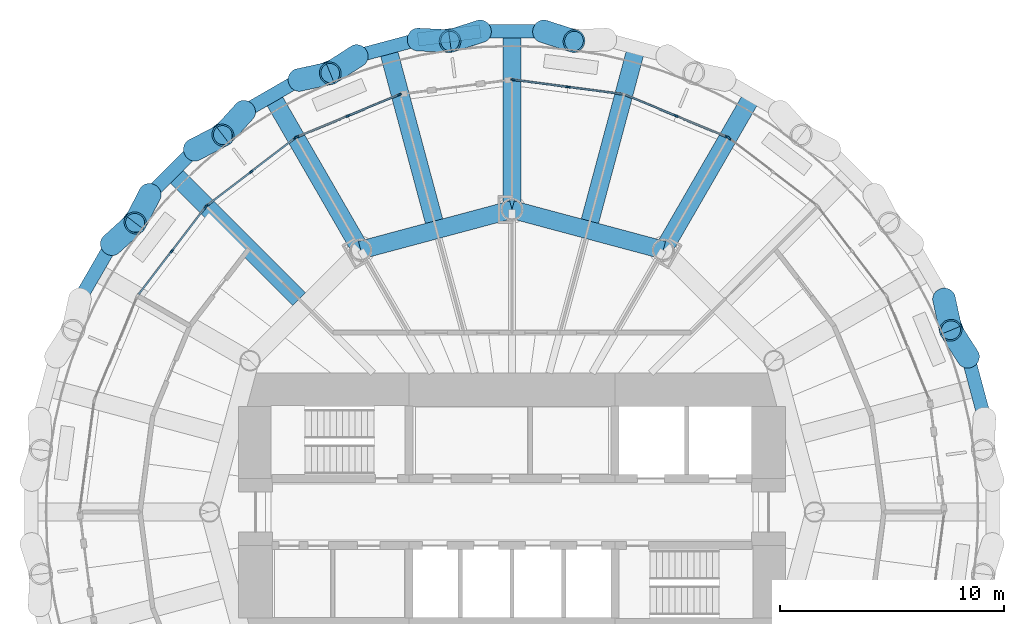
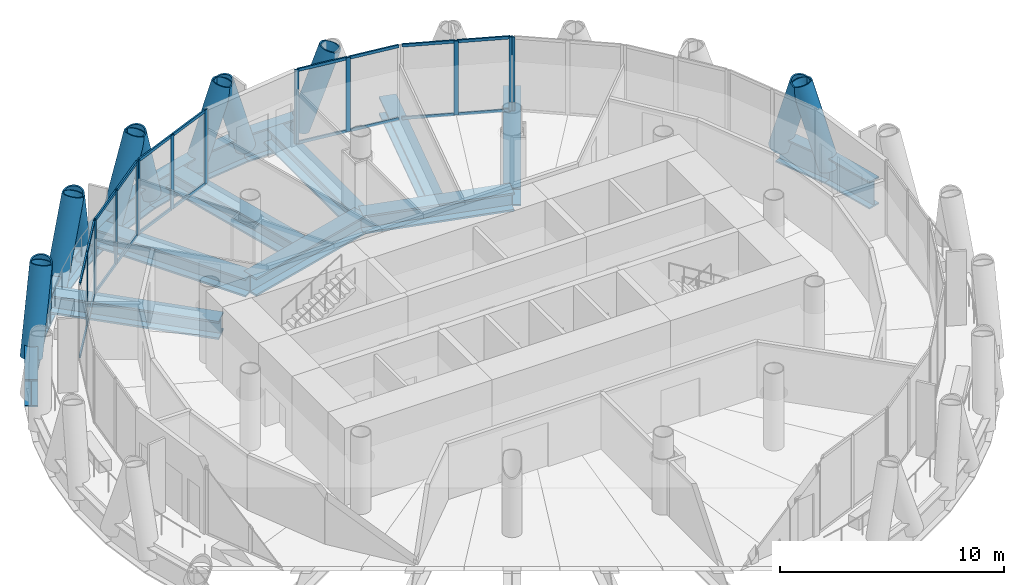
# One storey, part 6 of 15: 44 members, 19 beams, 6 elements without a shape of their own.
"""IFC4 building model written with IfcOpenShell, lengths in metres."""

from ifc_helpers import new_model, si_unit, direction, frame, origin, origin_2d, place, context, subcontext, project, spatial, rectangle, hollow_circle, i_section, extrude, material, material_profile, profile_set, type_object, element, aggregate, save


model = new_model("IFC4")

# Units and contexts
model_context = context("Model", 3, precision=1e-05, world=origin(), true_north=direction((0.0, 1.0)))
body_context = subcontext(model_context, "Body", "Model", "MODEL_VIEW")
ifc_project = project(units=[si_unit("LENGTHUNIT", "METRE"), si_unit("AREAUNIT", "SQUARE_METRE"), si_unit("VOLUMEUNIT", "CUBIC_METRE"), si_unit("PLANEANGLEUNIT", "RADIAN"), si_unit("MASSUNIT", "GRAM", prefix="KILO")], contexts=[model_context])

# Site, building, storey
site_placement = place(None, origin())
site = spatial("IfcSite", under=ifc_project, at=site_placement, CompositionType="ELEMENT")
building_placement = place(site_placement, origin())
building = spatial("IfcBuilding", under=site, at=building_placement, Name="Qaws Media Tower", CompositionType="ELEMENT")
storey_placement = place(building_placement, frame((0.0, 0.0, 265.39990234375)))
storey = spatial("IfcBuildingStorey", under=building, at=storey_placement, Name="L61", CompositionType="ELEMENT", Elevation=265.39990234375)

# Curtain wall, member
ifc_material_1 = material(Name="Aluminium and clear glass", Category="aluminium")
curtain_wall_type = type_object("IfcCurtainWallType", Name="Unitised curtain wall CW-D", PredefinedType="NOTDEFINED", material=ifc_material_1)
curtain_wall_1_placement = place(storey_placement, origin())
curtain_wall_1 = element("IfcCurtainWall", 1, at=curtain_wall_1_placement, inside=storey, type_object=curtain_wall_type, Name="CWD curtain wall L61-04", PredefinedType="NOTDEFINED")
ifc_material_2 = material(Name="Aluminium mullion", Category="aluminium")
ifc_material_profile_1 = material_profile(ifc_material_2, rectangle(XDim=0.080078125, YDim=0.199951171875, at=origin_2d()), Name="80x200")
ifc_profile_set_1 = profile_set([ifc_material_profile_1], Name="Aluminium mullion")
member_type_1 = type_object("IfcMemberType", Name="Curtain wall mullion 80x200", PredefinedType="MULLION", material=ifc_profile_set_1)
member_1_placement = place(storey_placement, frame((69.681640625, 66.68994140625, 0.0), z_axis=(0.0, 0.0, 1.0), x_axis=(-0.608761365217, -0.79335338924, 0.0)))
member_1 = element("IfcMember", 2, at=member_1_placement, type_object=member_type_1, Name="CWD mullion 3", PredefinedType="MULLION", context=body_context, shape_type="SweptSolid", body=[
    extrude(rectangle(XDim=0.080078125, YDim=0.199951171875, at=origin_2d()), origin(), (0.0, 0.0, 1.0), 4.0400390625),
])
aggregate(curtain_wall_1, [member_1])

# Curtain wall, members
curtain_wall_2_placement = place(storey_placement, origin())
curtain_wall_2 = element("IfcCurtainWall", 3, at=curtain_wall_2_placement, inside=storey, type_object=curtain_wall_type, Name="CWD curtain wall L61-05", PredefinedType="NOTDEFINED")
member_2_placement = place(storey_placement, frame((69.613037109375, 66.7294921875, 0.0), z_axis=(0.0, 0.0, 1.0), x_axis=(-0.382683436364, -0.923879530855, 0.0)))
member_2 = element("IfcMember", 4, at=member_2_placement, type_object=member_type_1, Name="CWD mullion 1", PredefinedType="MULLION", context=body_context, shape_type="SweptSolid", body=[
    extrude(rectangle(XDim=0.080078125, YDim=0.199951171875, at=origin_2d()), origin(), (0.0, 0.0, 1.0), 4.0400390625),
])
member_3_placement = place(storey_placement, frame((67.322509765625, 67.67822265625, 0.0), z_axis=(0.0, 0.0, 1.0), x_axis=(-0.382683436364, -0.923879530855, 0.0)))
member_3 = element("IfcMember", 5, at=member_3_placement, type_object=member_type_1, Name="CWD mullion 2", PredefinedType="MULLION", context=body_context, shape_type="SweptSolid", body=[
    extrude(rectangle(XDim=0.080078125, YDim=0.199951171875, at=origin_2d()), origin(), (0.0, 0.0, 1.0), 4.0400390625),
])

curtain_wall_3_placement = place(storey_placement, origin())
curtain_wall_3 = element("IfcCurtainWall", 6, at=curtain_wall_3_placement, inside=storey, type_object=curtain_wall_type, Name="CWD curtain wall L61-06", PredefinedType="NOTDEFINED")
member_4_placement = place(storey_placement, frame((62.49755859375, 68.97119140625, 0.0), z_axis=(0.0, 0.0, 1.0), x_axis=(-0.130526268479, -0.991444851334, 0.0)))
member_4 = element("IfcMember", 7, at=member_4_placement, type_object=member_type_1, Name="CWD mullion 2", PredefinedType="MULLION", context=body_context, shape_type="SweptSolid", body=[
    extrude(rectangle(XDim=0.080078125, YDim=0.199951171875, at=origin_2d()), origin(), (0.0, 0.0, 1.0), 4.0400390625),
])
member_5_placement = place(storey_placement, frame((60.03955078125, 69.294677734375, 0.0), z_axis=(0.0, 0.0, 1.0), x_axis=(-0.130526268479, -0.991444851334, 0.0)))
member_5 = element("IfcMember", 8, at=member_5_placement, type_object=member_type_1, Name="CWD mullion 3", PredefinedType="MULLION", context=body_context, shape_type="SweptSolid", body=[
    extrude(rectangle(XDim=0.080078125, YDim=0.199951171875, at=origin_2d()), origin(), (0.0, 0.0, 1.0), 4.0400390625),
])

curtain_wall_4_placement = place(storey_placement, origin())
curtain_wall_4 = element("IfcCurtainWall", 9, at=curtain_wall_4_placement, inside=storey, type_object=curtain_wall_type, Name="CWD curtain wall L61-08", PredefinedType="NOTDEFINED")
member_6_placement = place(storey_placement, frame((54.9677734375, 68.626953125, 0.0), z_axis=(0.0, 0.0, 1.0), x_axis=(0.382683436364, -0.923879530855, 0.0)))
member_6 = element("IfcMember", 10, at=member_6_placement, type_object=member_type_1, Name="CWD mullion 1", PredefinedType="MULLION", context=body_context, shape_type="SweptSolid", body=[
    extrude(rectangle(XDim=0.080078125, YDim=0.199951171875, at=origin_2d()), origin(), (0.0, 0.0, 1.0), 4.0400390625),
])
member_7_placement = place(storey_placement, frame((52.677490234375, 67.67822265625, 0.0), z_axis=(0.0, 0.0, 1.0), x_axis=(0.382683436364, -0.923879530855, 0.0)))
member_7 = element("IfcMember", 11, at=member_7_placement, type_object=member_type_1, Name="CWD mullion 2", PredefinedType="MULLION", context=body_context, shape_type="SweptSolid", body=[
    extrude(rectangle(XDim=0.080078125, YDim=0.199951171875, at=origin_2d()), origin(), (0.0, 0.0, 1.0), 4.0400390625),
])
member_8_placement = place(storey_placement, frame((50.386962890625, 66.7294921875, 0.0), z_axis=(0.0, 0.0, 1.0), x_axis=(0.382683436364, -0.923879530855, 0.0)))
member_8 = element("IfcMember", 12, at=member_8_placement, type_object=member_type_1, Name="CWD mullion 3", PredefinedType="MULLION", context=body_context, shape_type="SweptSolid", body=[
    extrude(rectangle(XDim=0.080078125, YDim=0.199951171875, at=origin_2d()), origin(), (0.0, 0.0, 1.0), 4.0400390625),
])

curtain_wall_5_placement = place(storey_placement, origin())
curtain_wall_5 = element("IfcCurtainWall", 13, at=curtain_wall_5_placement, inside=storey, type_object=curtain_wall_type, Name="CWD curtain wall L61-09", PredefinedType="NOTDEFINED")
member_9_placement = place(storey_placement, frame((50.318359375, 66.68994140625, 0.0), z_axis=(0.0, 0.0, 1.0), x_axis=(0.608761365217, -0.79335338924, 0.0)))
member_9 = element("IfcMember", 14, at=member_9_placement, type_object=member_type_1, Name="CWD mullion 1", PredefinedType="MULLION", context=body_context, shape_type="SweptSolid", body=[
    extrude(rectangle(XDim=0.080078125, YDim=0.199951171875, at=origin_2d()), origin(), (0.0, 0.0, 1.0), 4.0400390625),
])
member_10_placement = place(storey_placement, frame((48.351318359375, 65.1806640625, 0.0), z_axis=(0.0, 0.0, 1.0), x_axis=(0.608761365217, -0.79335338924, 0.0)))
member_10 = element("IfcMember", 15, at=member_10_placement, type_object=member_type_1, Name="CWD mullion 2", PredefinedType="MULLION", context=body_context, shape_type="SweptSolid", body=[
    extrude(rectangle(XDim=0.080078125, YDim=0.199951171875, at=origin_2d()), origin(), (0.0, 0.0, 1.0), 4.0400390625),
])
member_11_placement = place(storey_placement, frame((46.384521484375, 63.671630859375, 0.0), z_axis=(0.0, 0.0, 1.0), x_axis=(0.608761365217, -0.79335338924, 0.0)))
member_11 = element("IfcMember", 16, at=member_11_placement, type_object=member_type_1, Name="CWD mullion 3", PredefinedType="MULLION", context=body_context, shape_type="SweptSolid", body=[
    extrude(rectangle(XDim=0.080078125, YDim=0.199951171875, at=origin_2d()), origin(), (0.0, 0.0, 1.0), 4.0400390625),
])

curtain_wall_6_placement = place(storey_placement, origin())
curtain_wall_6 = element("IfcCurtainWall", 17, at=curtain_wall_6_placement, inside=storey, type_object=curtain_wall_type, Name="CWD curtain wall L61-10", PredefinedType="NOTDEFINED")
member_12_placement = place(storey_placement, frame((46.328369140625, 63.615478515625, 0.0), z_axis=(0.0, 0.0, 1.0), x_axis=(0.79335338924, -0.608761365217, 0.0)))
member_12 = element("IfcMember", 18, at=member_12_placement, type_object=member_type_1, Name="CWD mullion 1", PredefinedType="MULLION", context=body_context, shape_type="SweptSolid", body=[
    extrude(rectangle(XDim=0.080078125, YDim=0.199951171875, at=origin_2d()), origin(), (0.0, 0.0, 1.0), 4.0400390625),
])
member_13_placement = place(storey_placement, frame((44.8193359375, 61.648681640625, 0.0), z_axis=(0.0, 0.0, 1.0), x_axis=(0.79335338924, -0.608761365217, 0.0)))
member_13 = element("IfcMember", 19, at=member_13_placement, type_object=member_type_1, Name="CWD mullion 2", PredefinedType="MULLION", context=body_context, shape_type="SweptSolid", body=[
    extrude(rectangle(XDim=0.080078125, YDim=0.199951171875, at=origin_2d()), origin(), (0.0, 0.0, 1.0), 4.0400390625),
])

# Member
ifc_material_3 = material(Name="Aluminium transom", Category="aluminium")
ifc_material_profile_2 = material_profile(ifc_material_3, rectangle(XDim=0.080078125, YDim=0.159912109375, at=origin_2d()), Name="80x160")
ifc_profile_set_2 = profile_set([ifc_material_profile_2], Name="Aluminium transom")
member_type_2 = type_object("IfcMemberType", Name="Curtain wall transom 80x160", PredefinedType="USERDEFINED", material=ifc_profile_set_2)
member_14_placement = place(storey_placement, frame((69.576171875, 66.744873046875, 0.0400390625), z_axis=(-0.923866757703, 0.382714272026, 0.0), x_axis=(-0.382714272026, -0.923866757703, 0.0)))
member_14 = element("IfcMember", 20, at=member_14_placement, type_object=member_type_2, Name="CWD transom 1.1", ObjectType="TRANSOM", PredefinedType="USERDEFINED", context=body_context, shape_type="SweptSolid", body=[
    extrude(rectangle(XDim=0.080078125, YDim=0.159912109375, at=origin_2d()), origin(), (0.0, 0.0, 1.0), 2.399169921875),
])

member_15_placement = place(storey_placement, frame((69.576171875, 66.744873046875, 4.0), z_axis=(-0.923866757703, 0.382714272026, 0.0), x_axis=(-0.382714272026, -0.923866757703, 0.0)))
member_15 = element("IfcMember", 21, at=member_15_placement, type_object=member_type_2, Name="CWD transom 1.2", ObjectType="TRANSOM", PredefinedType="USERDEFINED", context=body_context, shape_type="SweptSolid", body=[
    extrude(rectangle(XDim=0.080078125, YDim=0.159912109375, at=origin_2d()), origin(), (0.0, 0.0, 1.0), 2.399169921875),
])

member_16_placement = place(storey_placement, frame((67.28564453125, 67.693603515625, 0.0400390625), z_axis=(-0.923866757703, 0.382714272026, 0.0), x_axis=(-0.382714272026, -0.923866757703, 0.0)))
member_16 = element("IfcMember", 22, at=member_16_placement, type_object=member_type_2, Name="CWD transom 2.1", ObjectType="TRANSOM", PredefinedType="USERDEFINED", context=body_context, shape_type="SweptSolid", body=[
    extrude(rectangle(XDim=0.080078125, YDim=0.159912109375, at=origin_2d()), origin(), (0.0, 0.0, 1.0), 2.399169921875),
])

member_17_placement = place(storey_placement, frame((67.28564453125, 67.693603515625, 4.0), z_axis=(-0.923866757703, 0.382714272026, 0.0), x_axis=(-0.382714272026, -0.923866757703, 0.0)))
member_17 = element("IfcMember", 23, at=member_17_placement, type_object=member_type_2, Name="CWD transom 2.2", ObjectType="TRANSOM", PredefinedType="USERDEFINED", context=body_context, shape_type="SweptSolid", body=[
    extrude(rectangle(XDim=0.080078125, YDim=0.159912109375, at=origin_2d()), origin(), (0.0, 0.0, 1.0), 2.399169921875),
])

aggregate(curtain_wall_2, [member_2, member_3, member_14, member_15, member_16, member_17])

member_18_placement = place(storey_placement, frame((64.915771484375, 68.65283203125, 0.0400390625), z_axis=(-0.99143904759, 0.130570344699, 0.0), x_axis=(-0.130570344699, -0.99143904759, 0.0)))
member_18 = element("IfcMember", 24, at=member_18_placement, type_object=member_type_2, Name="CWD transom 1.1", ObjectType="TRANSOM", PredefinedType="USERDEFINED", context=body_context, shape_type="SweptSolid", body=[
    extrude(rectangle(XDim=0.080078125, YDim=0.159912109375, at=origin_2d()), origin(), (0.0, 0.0, 1.0), 2.39892578125),
])

member_19_placement = place(storey_placement, frame((64.915771484375, 68.65283203125, 4.0), z_axis=(-0.99143904759, 0.130570344699, 0.0), x_axis=(-0.130570344699, -0.99143904759, 0.0)))
member_19 = element("IfcMember", 25, at=member_19_placement, type_object=member_type_2, Name="CWD transom 1.2", ObjectType="TRANSOM", PredefinedType="USERDEFINED", context=body_context, shape_type="SweptSolid", body=[
    extrude(rectangle(XDim=0.080078125, YDim=0.159912109375, at=origin_2d()), origin(), (0.0, 0.0, 1.0), 2.39892578125),
])

member_20_placement = place(storey_placement, frame((62.4580078125, 68.976318359375, 0.0400390625), z_axis=(-0.991440782357, 0.130557171689, 0.0), x_axis=(-0.130557171689, -0.991440782357, 0.0)))
member_20 = element("IfcMember", 26, at=member_20_placement, type_object=member_type_2, Name="CWD transom 2.1", ObjectType="TRANSOM", PredefinedType="USERDEFINED", context=body_context, shape_type="SweptSolid", body=[
    extrude(rectangle(XDim=0.080078125, YDim=0.159912109375, at=origin_2d()), origin(), (0.0, 0.0, 1.0), 2.399169921875),
])

member_21_placement = place(storey_placement, frame((62.4580078125, 68.976318359375, 4.0), z_axis=(-0.991440782357, 0.130557171689, 0.0), x_axis=(-0.130557171689, -0.991440782357, 0.0)))
member_21 = element("IfcMember", 27, at=member_21_placement, type_object=member_type_2, Name="CWD transom 2.2", ObjectType="TRANSOM", PredefinedType="USERDEFINED", context=body_context, shape_type="SweptSolid", body=[
    extrude(rectangle(XDim=0.080078125, YDim=0.159912109375, at=origin_2d()), origin(), (0.0, 0.0, 1.0), 2.399169921875),
])

aggregate(curtain_wall_3, [member_4, member_5, member_18, member_19, member_20, member_21])

member_22_placement = place(storey_placement, frame((54.930908203125, 68.61181640625, 0.0400390625), z_axis=(-0.923866757703, -0.382714272026, 0.0), x_axis=(0.382714272026, -0.923866757703, 0.0)))
member_22 = element("IfcMember", 28, at=member_22_placement, type_object=member_type_2, Name="CWD transom 1.1", ObjectType="TRANSOM", PredefinedType="USERDEFINED", context=body_context, shape_type="SweptSolid", body=[
    extrude(rectangle(XDim=0.080078125, YDim=0.159912109375, at=origin_2d()), origin(), (0.0, 0.0, 1.0), 2.399169921875),
])

member_23_placement = place(storey_placement, frame((54.930908203125, 68.61181640625, 4.0), z_axis=(-0.923866757703, -0.382714272026, 0.0), x_axis=(0.382714272026, -0.923866757703, 0.0)))
member_23 = element("IfcMember", 29, at=member_23_placement, type_object=member_type_2, Name="CWD transom 1.2", ObjectType="TRANSOM", PredefinedType="USERDEFINED", context=body_context, shape_type="SweptSolid", body=[
    extrude(rectangle(XDim=0.080078125, YDim=0.159912109375, at=origin_2d()), origin(), (0.0, 0.0, 1.0), 2.399169921875),
])

member_24_placement = place(storey_placement, frame((52.640380859375, 67.6630859375, 0.0400390625), z_axis=(-0.923866757703, -0.382714272026, 0.0), x_axis=(0.382714272026, -0.923866757703, 0.0)))
member_24 = element("IfcMember", 30, at=member_24_placement, type_object=member_type_2, Name="CWD transom 2.1", ObjectType="TRANSOM", PredefinedType="USERDEFINED", context=body_context, shape_type="SweptSolid", body=[
    extrude(rectangle(XDim=0.080078125, YDim=0.159912109375, at=origin_2d()), origin(), (0.0, 0.0, 1.0), 2.399169921875),
])

member_25_placement = place(storey_placement, frame((52.640380859375, 67.6630859375, 4.0), z_axis=(-0.923866757703, -0.382714272026, 0.0), x_axis=(0.382714272026, -0.923866757703, 0.0)))
member_25 = element("IfcMember", 31, at=member_25_placement, type_object=member_type_2, Name="CWD transom 2.2", ObjectType="TRANSOM", PredefinedType="USERDEFINED", context=body_context, shape_type="SweptSolid", body=[
    extrude(rectangle(XDim=0.080078125, YDim=0.159912109375, at=origin_2d()), origin(), (0.0, 0.0, 1.0), 2.399169921875),
])

aggregate(curtain_wall_4, [member_6, member_7, member_8, member_22, member_23, member_24, member_25])

member_26_placement = place(storey_placement, frame((50.28662109375, 66.66552734375, 0.0400390625), z_axis=(-0.793395038858, -0.608707082525, 0.0), x_axis=(0.608707082525, -0.793395038858, 0.0)))
member_26 = element("IfcMember", 32, at=member_26_placement, type_object=member_type_2, Name="CWD transom 1.1", ObjectType="TRANSOM", PredefinedType="USERDEFINED", context=body_context, shape_type="SweptSolid", body=[
    extrude(rectangle(XDim=0.080078125, YDim=0.159912109375, at=origin_2d()), origin(), (0.0, 0.0, 1.0), 2.399169921875),
])

member_27_placement = place(storey_placement, frame((50.28662109375, 66.66552734375, 4.0), z_axis=(-0.793395038858, -0.608707082525, 0.0), x_axis=(0.608707082525, -0.793395038858, 0.0)))
member_27 = element("IfcMember", 33, at=member_27_placement, type_object=member_type_2, Name="CWD transom 1.2", ObjectType="TRANSOM", PredefinedType="USERDEFINED", context=body_context, shape_type="SweptSolid", body=[
    extrude(rectangle(XDim=0.080078125, YDim=0.159912109375, at=origin_2d()), origin(), (0.0, 0.0, 1.0), 2.399169921875),
])

member_28_placement = place(storey_placement, frame((48.319580078125, 65.156494140625, 0.0400390625), z_axis=(-0.793308183126, -0.608820274454, 0.0), x_axis=(0.608820274454, -0.793308183126, 0.0)))
member_28 = element("IfcMember", 34, at=member_28_placement, type_object=member_type_2, Name="CWD transom 2.1", ObjectType="TRANSOM", PredefinedType="USERDEFINED", context=body_context, shape_type="SweptSolid", body=[
    extrude(rectangle(XDim=0.080078125, YDim=0.159912109375, at=origin_2d()), origin(), (0.0, 0.0, 1.0), 2.399169921875),
])

member_29_placement = place(storey_placement, frame((48.319580078125, 65.156494140625, 4.0), z_axis=(-0.793308183126, -0.608820274454, 0.0), x_axis=(0.608820274454, -0.793308183126, 0.0)))
member_29 = element("IfcMember", 35, at=member_29_placement, type_object=member_type_2, Name="CWD transom 2.2", ObjectType="TRANSOM", PredefinedType="USERDEFINED", context=body_context, shape_type="SweptSolid", body=[
    extrude(rectangle(XDim=0.080078125, YDim=0.159912109375, at=origin_2d()), origin(), (0.0, 0.0, 1.0), 2.399169921875),
])

aggregate(curtain_wall_5, [member_9, member_10, member_11, member_26, member_27, member_28, member_29])

member_30_placement = place(storey_placement, frame((46.30419921875, 63.583740234375, 0.0400390625), z_axis=(-0.608820274454, -0.793308183126, 0.0), x_axis=(0.793308183126, -0.608820274454, 0.0)))
member_30 = element("IfcMember", 36, at=member_30_placement, type_object=member_type_2, Name="CWD transom 1.1", ObjectType="TRANSOM", PredefinedType="USERDEFINED", context=body_context, shape_type="SweptSolid", body=[
    extrude(rectangle(XDim=0.080078125, YDim=0.159912109375, at=origin_2d()), origin(), (0.0, 0.0, 1.0), 2.399169921875),
])

member_31_placement = place(storey_placement, frame((46.30419921875, 63.583740234375, 4.0), z_axis=(-0.608820274454, -0.793308183126, 0.0), x_axis=(0.793308183126, -0.608820274454, 0.0)))
member_31 = element("IfcMember", 37, at=member_31_placement, type_object=member_type_2, Name="CWD transom 1.2", ObjectType="TRANSOM", PredefinedType="USERDEFINED", context=body_context, shape_type="SweptSolid", body=[
    extrude(rectangle(XDim=0.080078125, YDim=0.159912109375, at=origin_2d()), origin(), (0.0, 0.0, 1.0), 2.399169921875),
])

member_32_placement = place(storey_placement, frame((44.794921875, 61.616943359375, 0.0400390625), z_axis=(-0.608707082525, -0.793395038858, 0.0), x_axis=(0.793395038858, -0.608707082525, 0.0)))
member_32 = element("IfcMember", 38, at=member_32_placement, type_object=member_type_2, Name="CWD transom 2.1", ObjectType="TRANSOM", PredefinedType="USERDEFINED", context=body_context, shape_type="SweptSolid", body=[
    extrude(rectangle(XDim=0.080078125, YDim=0.159912109375, at=origin_2d()), origin(), (0.0, 0.0, 1.0), 2.399169921875),
])

member_33_placement = place(storey_placement, frame((44.794921875, 61.616943359375, 4.0), z_axis=(-0.608707082525, -0.793395038858, 0.0), x_axis=(0.793395038858, -0.608707082525, 0.0)))
member_33 = element("IfcMember", 39, at=member_33_placement, type_object=member_type_2, Name="CWD transom 2.2", ObjectType="TRANSOM", PredefinedType="USERDEFINED", context=body_context, shape_type="SweptSolid", body=[
    extrude(rectangle(XDim=0.080078125, YDim=0.159912109375, at=origin_2d()), origin(), (0.0, 0.0, 1.0), 2.399169921875),
])

aggregate(curtain_wall_6, [member_12, member_13, member_30, member_31, member_32, member_33])

# Members
ifc_material_4 = material(Name="Steel S460", Category="steel")
ifc_material_profile_3 = material_profile(ifc_material_4, hollow_circle(Radius=0.508056640625, WallThickness=0.070068359375, at=origin_2d()), Name="CHS 1016x70")
ifc_profile_set_3 = profile_set([ifc_material_profile_3], Name="Steel S460")
member_type_3 = type_object("IfcMemberType", Name="Diagrid member CHS 1016x70", PredefinedType="USERDEFINED", material=ifc_profile_set_3)
member_34_placement = place(storey_placement, frame((80.35888671875, 56.910888671875, -0.909912109375), z_axis=(-0.174175702835, 0.270921638249, 0.946712358887), x_axis=(-0.841161820397, -0.540783498183, 0.0)))
element("IfcMember", 40, at=member_34_placement, inside=storey, type_object=member_type_3, Name="DG3 diagrid L61 A02", ObjectType="DIAGRID", PredefinedType="USERDEFINED", context=body_context, shape_type="SweptSolid", body=[
    extrude(hollow_circle(Radius=0.508056640625, WallThickness=0.070068359375, at=origin_2d()), origin(), (0.0, 0.0, 1.0), 4.436279296875),
])
member_35_placement = place(storey_placement, frame((79.28271484375, 59.50927734375, -0.909912109375), z_axis=(0.068403482981, -0.314777089822, 0.946697600736), x_axis=(0.977193321259, 0.212351625581, 0.0)))
element("IfcMember", 41, at=member_35_placement, inside=storey, type_object=member_type_3, Name="DG3 diagrid L61 B03", ObjectType="DIAGRID", PredefinedType="USERDEFINED", context=body_context, shape_type="SweptSolid", body=[
    extrude(hollow_circle(Radius=0.508056640625, WallThickness=0.070068359375, at=origin_2d()), origin(), (0.0, 0.0, 1.0), 4.4365234375),
])
for number, where, z_axis, x_axis, name in (
    (42, (58.59375, 71.453857421875, -0.909912109375), (-0.306749483111, -0.0981224127, 0.946718937561), (0.304670323318, -0.952457869981, 0.0), "DG3 diagrid L61 A07"),
    (43, (61.40625, 71.453857421875, -0.909912109375), (0.306749483111, -0.0981224127, 0.946718937561), (0.304670323318, 0.952457869981, 0.0), "DG3 diagrid L61 B07"),
    (44, (53.089111328125, 70.35888671875, -0.909912109375), (-0.270921638249, -0.174175702835, 0.946712358887), (0.540783498183, -0.841161820397, 0.0), "DG3 diagrid L61 A08"),
    (45, (55.8056640625, 71.0869140625, -0.909912109375), (0.321715537287, -0.015408886493, 0.946710979806), (0.047841154259, 0.998854956417, 0.0), "DG3 diagrid L61 B08"),
    (46, (48.05517578125, 67.876708984375, -0.909912109375), (-0.216603539837, -0.23839596915, 0.946704953205), (0.740125584559, -0.672468675167, 0.0), "DG3 diagrid L61 A09"),
):
    element("IfcMember", number, at=place(storey_placement, frame(where, z_axis=z_axis, x_axis=x_axis)), inside=storey, type_object=member_type_3, Name=name, ObjectType="DIAGRID", PredefinedType="USERDEFINED", context=body_context, shape_type="SweptSolid", body=[
        extrude(hollow_circle(Radius=0.508056640625, WallThickness=0.070068359375, at=origin_2d()), origin(), (0.0, 0.0, 1.0), 4.436279296875),
    ])
member_36_placement = place(storey_placement, frame((50.49072265625, 69.28271484375, -0.909912109375), z_axis=(0.314777089822, 0.068403482981, 0.946697600736), x_axis=(-0.212351625581, 0.977193321259, 0.0)))
element("IfcMember", 47, at=member_36_placement, inside=storey, type_object=member_type_3, Name="DG3 diagrid L61 B09", ObjectType="DIAGRID", PredefinedType="USERDEFINED", context=body_context, shape_type="SweptSolid", body=[
    extrude(hollow_circle(Radius=0.508056640625, WallThickness=0.070068359375, at=origin_2d()), origin(), (0.0, 0.0, 1.0), 4.4365234375),
])
for number, where, z_axis, x_axis, name in (
    (48, (43.83544921875, 64.176025390625, -0.909912109375), (-0.147539003744, -0.286328025543, 0.946704021415), (0.888928182068, -0.458046599294, 0.0), "DG3 diagrid L61 A10"),
    (49, (45.823974609375, 66.16455078125, -0.909912109375), (0.286328025543, 0.147539003744, 0.946704021415), (-0.458046599294, 0.888928182068, 0.0), "DG3 diagrid L61 B10"),
    (50, (42.123291015625, 61.94482421875, -0.909912109375), (0.23839596915, 0.216603539837, 0.946704953205), (-0.672468675167, 0.740125584559, 0.0), "DG3 diagrid L61 B11"),
):
    element("IfcMember", number, at=place(storey_placement, frame(where, z_axis=z_axis, x_axis=x_axis)), inside=storey, type_object=member_type_3, Name=name, ObjectType="DIAGRID", PredefinedType="USERDEFINED", context=body_context, shape_type="SweptSolid", body=[
        extrude(hollow_circle(Radius=0.508056640625, WallThickness=0.070068359375, at=origin_2d()), origin(), (0.0, 0.0, 1.0), 4.436279296875),
    ])

# Beams
ifc_material_5 = material(Name="Steel S460", Category="steel")
ifc_material_profile_4 = material_profile(ifc_material_5, i_section(OverallWidth=0.60009765625, OverallDepth=1.5, WebThickness=0.030029296875, FlangeThickness=0.080078125, at=origin_2d()), Name="PG 1500x600")
ifc_profile_set_4 = profile_set([ifc_material_profile_4], Name="Steel S460")
beam_type_1 = type_object("IfcBeamType", Name="Edge ring beam PG 1500x600", PredefinedType="BEAM", material=ifc_profile_set_4)
for number, where, z_axis, x_axis, name in (
    (51, (81.0869140625, 54.1943359375, -0.909912109375), (-0.258861917402, 0.965914337671, 0.0), (-0.965914337671, -0.258861917402, 0.0), "RB5 edge ring beam L61-02"),
    (52, (80.35888671875, 56.910888671875, -0.909912109375), (-0.382648241093, 0.923894108428, 0.0), (-0.923894108428, -0.382648241093, 0.0), "RB5 edge ring beam L61-03"),
    (53, (61.40625, 71.453857421875, -0.909912109375), (-1.0, 0.0, 0.0), (0.0, -1.0, 0.0), "RB5 edge ring beam L61-12"),
):
    element("IfcBeam", number, at=place(storey_placement, frame(where, z_axis=z_axis, x_axis=x_axis)), inside=storey, type_object=beam_type_1, Name=name, PredefinedType="BEAM", context=body_context, shape_type="SweptSolid", body=[
        extrude(i_section(OverallWidth=0.60009765625, OverallDepth=1.5, WebThickness=0.030029296875, FlangeThickness=0.080078125, at=origin_2d()), origin(), (0.0, 0.0, 1.0), 2.8125),
    ])
beam_1_placement = place(storey_placement, frame((58.59375, 71.453857421875, -0.909912109375), z_axis=(-0.991450158087, -0.13048595338, 0.0), x_axis=(0.13048595338, -0.991450158087, 0.0)))
element("IfcBeam", 54, at=beam_1_placement, inside=storey, type_object=beam_type_1, Name="RB5 edge ring beam L61-13", PredefinedType="BEAM", context=body_context, shape_type="SweptSolid", body=[
    extrude(i_section(OverallWidth=0.60009765625, OverallDepth=1.5, WebThickness=0.030029296875, FlangeThickness=0.080078125, at=origin_2d()), origin(), (0.0, 0.0, 1.0), 2.81201171875),
])
for number, where, z_axis, x_axis, name in (
    (55, (55.8056640625, 71.0869140625, -0.909912109375), (-0.965914337671, -0.258861917402, 0.0), (0.258861917402, -0.965914337671, 0.0), "RB5 edge ring beam L61-14"),
    (56, (53.089111328125, 70.35888671875, -0.909912109375), (-0.923894108428, -0.382648241093, 0.0), (0.382648241093, -0.923894108428, 0.0), "RB5 edge ring beam L61-15"),
):
    element("IfcBeam", number, at=place(storey_placement, frame(where, z_axis=z_axis, x_axis=x_axis)), inside=storey, type_object=beam_type_1, Name=name, PredefinedType="BEAM", context=body_context, shape_type="SweptSolid", body=[
        extrude(i_section(OverallWidth=0.60009765625, OverallDepth=1.5, WebThickness=0.030029296875, FlangeThickness=0.080078125, at=origin_2d()), origin(), (0.0, 0.0, 1.0), 2.8125),
    ])
beam_2_placement = place(storey_placement, frame((50.49072265625, 69.28271484375, -0.909912109375), z_axis=(-0.866049697453, -0.499957919771, 0.0), x_axis=(0.499957919771, -0.866049697453, 0.0)))
element("IfcBeam", 57, at=beam_2_placement, inside=storey, type_object=beam_type_1, Name="RB5 edge ring beam L61-16", PredefinedType="BEAM", context=body_context, shape_type="SweptSolid", body=[
    extrude(i_section(OverallWidth=0.60009765625, OverallDepth=1.5, WebThickness=0.030029296875, FlangeThickness=0.080078125, at=origin_2d()), origin(), (0.0, 0.0, 1.0), 2.812255859375),
])
beam_3_placement = place(storey_placement, frame((48.05517578125, 67.876708984375, -0.909912109375), z_axis=(-0.793336626321, -0.60878321046, 0.0), x_axis=(0.60878321046, -0.793336626321, 0.0)))
element("IfcBeam", 58, at=beam_3_placement, inside=storey, type_object=beam_type_1, Name="RB5 edge ring beam L61-17", PredefinedType="BEAM", context=body_context, shape_type="SweptSolid", body=[
    extrude(i_section(OverallWidth=0.60009765625, OverallDepth=1.5, WebThickness=0.030029296875, FlangeThickness=0.080078125, at=origin_2d()), origin(), (0.0, 0.0, 1.0), 2.8125),
])
beam_4_placement = place(storey_placement, frame((45.823974609375, 66.16455078125, -0.909912109375), z_axis=(-0.707106781187, -0.707106781187, 0.0), x_axis=(0.707106781187, -0.707106781187, 0.0)))
element("IfcBeam", 59, at=beam_4_placement, inside=storey, type_object=beam_type_1, Name="RB5 edge ring beam L61-18", PredefinedType="BEAM", context=body_context, shape_type="SweptSolid", body=[
    extrude(i_section(OverallWidth=0.60009765625, OverallDepth=1.5, WebThickness=0.030029296875, FlangeThickness=0.080078125, at=origin_2d()), origin(), (0.0, 0.0, 1.0), 2.812255859375),
])
beam_5_placement = place(storey_placement, frame((43.83544921875, 64.176025390625, -0.909912109375), z_axis=(-0.60878321046, -0.793336626321, 0.0), x_axis=(0.793336626321, -0.60878321046, 0.0)))
element("IfcBeam", 60, at=beam_5_placement, inside=storey, type_object=beam_type_1, Name="RB5 edge ring beam L61-19", PredefinedType="BEAM", context=body_context, shape_type="SweptSolid", body=[
    extrude(i_section(OverallWidth=0.60009765625, OverallDepth=1.5, WebThickness=0.030029296875, FlangeThickness=0.080078125, at=origin_2d()), origin(), (0.0, 0.0, 1.0), 2.8125),
])
beam_6_placement = place(storey_placement, frame((42.123291015625, 61.94482421875, -0.909912109375), z_axis=(-0.499957919771, -0.866049697453, 0.0), x_axis=(0.866049697453, -0.499957919771, 0.0)))
element("IfcBeam", 61, at=beam_6_placement, inside=storey, type_object=beam_type_1, Name="RB5 edge ring beam L61-20", PredefinedType="BEAM", context=body_context, shape_type="SweptSolid", body=[
    extrude(i_section(OverallWidth=0.60009765625, OverallDepth=1.5, WebThickness=0.030029296875, FlangeThickness=0.080078125, at=origin_2d()), origin(), (0.0, 0.0, 1.0), 2.812255859375),
])
ifc_material_6 = material(Name="Steel S460", Category="steel")
ifc_material_profile_5 = material_profile(ifc_material_6, i_section(OverallWidth=0.800048828125, OverallDepth=1.0, WebThickness=0.0400390625, FlangeThickness=0.10009765625, at=origin_2d()), Name="PG 1000x800")
ifc_profile_set_5 = profile_set([ifc_material_profile_5], Name="Steel S460")
beam_type_2 = type_object("IfcBeamType", Name="Inner ring girder PG 1000x800", PredefinedType="BEAM", material=ifc_profile_set_5)
for number, where, z_axis, x_axis, name in (
    (62, (66.75, 61.69140625, -0.659912109375), (-0.965928090778, 0.258810593767, 0.0), (-0.258810593767, -0.965928090778, 0.0), "B3 inner ring beam L61 I03-I04"),
    (63, (60.0, 63.5, -0.659912109375), (-0.965928090778, -0.258810593767, 0.0), (0.258810593767, -0.965928090778, 0.0), "B3 inner ring beam L61 I04-I05"),
):
    element("IfcBeam", number, at=place(storey_placement, frame(where, z_axis=z_axis, x_axis=x_axis)), inside=storey, type_object=beam_type_2, Name=name, PredefinedType="BEAM", context=body_context, shape_type="SweptSolid", body=[
        extrude(i_section(OverallWidth=0.800048828125, OverallDepth=1.0, WebThickness=0.0400390625, FlangeThickness=0.10009765625, at=origin_2d()), origin(), (0.0, 0.0, 1.0), 6.988037109375),
    ])
ifc_material_7 = material(Name="Steel S460", Category="steel")
ifc_material_profile_6 = material_profile(ifc_material_7, i_section(OverallWidth=0.800048828125, OverallDepth=1.0, WebThickness=0.0400390625, FlangeThickness=0.10009765625, at=origin_2d()), Name="PG 1000x800")
ifc_profile_set_6 = profile_set([ifc_material_profile_6], Name="Steel S460")
beam_type_3 = type_object("IfcBeamType", Name="Radial girder PG 1000x800", PredefinedType="BEAM", material=ifc_profile_set_6)
beam_7_placement = place(storey_placement, frame((66.75, 61.69140625, -0.659912109375), z_axis=(0.500014721933, 0.866016903906, 0.0), x_axis=(-0.866016903906, 0.500014721933, 0.0)))
element("IfcBeam", 64, at=beam_7_placement, inside=storey, type_object=beam_type_3, Name="B1 radial beam L61 05", PredefinedType="BEAM", context=body_context, shape_type="SweptSolid", body=[
    extrude(i_section(OverallWidth=0.800048828125, OverallDepth=1.0, WebThickness=0.0400390625, FlangeThickness=0.10009765625, at=origin_2d()), origin(), (0.0, 0.0, 1.0), 7.953857421875),
])
beam_8_placement = place(storey_placement, frame((63.478515625, 62.98193359375, -0.659912109375), z_axis=(0.258822880994, 0.965924798457, 0.0), x_axis=(-0.965924798457, 0.258822880994, 0.0)))
element("IfcBeam", 65, at=beam_8_placement, inside=storey, type_object=beam_type_3, Name="B1 radial beam L61 06", PredefinedType="BEAM", context=body_context, shape_type="SweptSolid", body=[
    extrude(i_section(OverallWidth=0.800048828125, OverallDepth=1.0, WebThickness=0.0400390625, FlangeThickness=0.10009765625, at=origin_2d()), origin(), (0.0, 0.0, 1.0), 8.01416015625),
])
beam_9_placement = place(storey_placement, frame((60.0, 63.5, -0.659912109375), z_axis=(0.0, 1.0, 0.0), x_axis=(-1.0, 0.0, 0.0)))
element("IfcBeam", 66, at=beam_9_placement, inside=storey, type_object=beam_type_3, Name="B1 radial beam L61 07", PredefinedType="BEAM", context=body_context, shape_type="SweptSolid", body=[
    extrude(i_section(OverallWidth=0.800048828125, OverallDepth=1.0, WebThickness=0.0400390625, FlangeThickness=0.10009765625, at=origin_2d()), origin(), (0.0, 0.0, 1.0), 7.953857421875),
])
beam_10_placement = place(storey_placement, frame((56.521484375, 62.98193359375, -0.659912109375), z_axis=(-0.258822880994, 0.965924798457, 0.0), x_axis=(-0.965924798457, -0.258822880994, 0.0)))
element("IfcBeam", 67, at=beam_10_placement, inside=storey, type_object=beam_type_3, Name="B1 radial beam L61 08", PredefinedType="BEAM", context=body_context, shape_type="SweptSolid", body=[
    extrude(i_section(OverallWidth=0.800048828125, OverallDepth=1.0, WebThickness=0.0400390625, FlangeThickness=0.10009765625, at=origin_2d()), origin(), (0.0, 0.0, 1.0), 8.01416015625),
])
beam_11_placement = place(storey_placement, frame((53.25, 61.69140625, -0.659912109375), z_axis=(-0.500014721933, 0.866016903906, 0.0), x_axis=(-0.866016903906, -0.500014721933, 0.0)))
element("IfcBeam", 68, at=beam_11_placement, inside=storey, type_object=beam_type_3, Name="B1 radial beam L61 09", PredefinedType="BEAM", context=body_context, shape_type="SweptSolid", body=[
    extrude(i_section(OverallWidth=0.800048828125, OverallDepth=1.0, WebThickness=0.0400390625, FlangeThickness=0.10009765625, at=origin_2d()), origin(), (0.0, 0.0, 1.0), 7.953857421875),
])
beam_12_placement = place(storey_placement, frame((50.49658203125, 59.50341796875, -0.659912109375), z_axis=(-0.707106781187, 0.707106781187, 0.0), x_axis=(-0.707106781187, -0.707106781187, 0.0)))
element("IfcBeam", 69, at=beam_12_placement, inside=storey, type_object=beam_type_3, Name="B1 radial beam L61 10", PredefinedType="BEAM", context=body_context, shape_type="SweptSolid", body=[
    extrude(i_section(OverallWidth=0.800048828125, OverallDepth=1.0, WebThickness=0.0400390625, FlangeThickness=0.10009765625, at=origin_2d()), origin(), (0.0, 0.0, 1.0), 8.013916015625),
])

save(model, "model.ifc")
